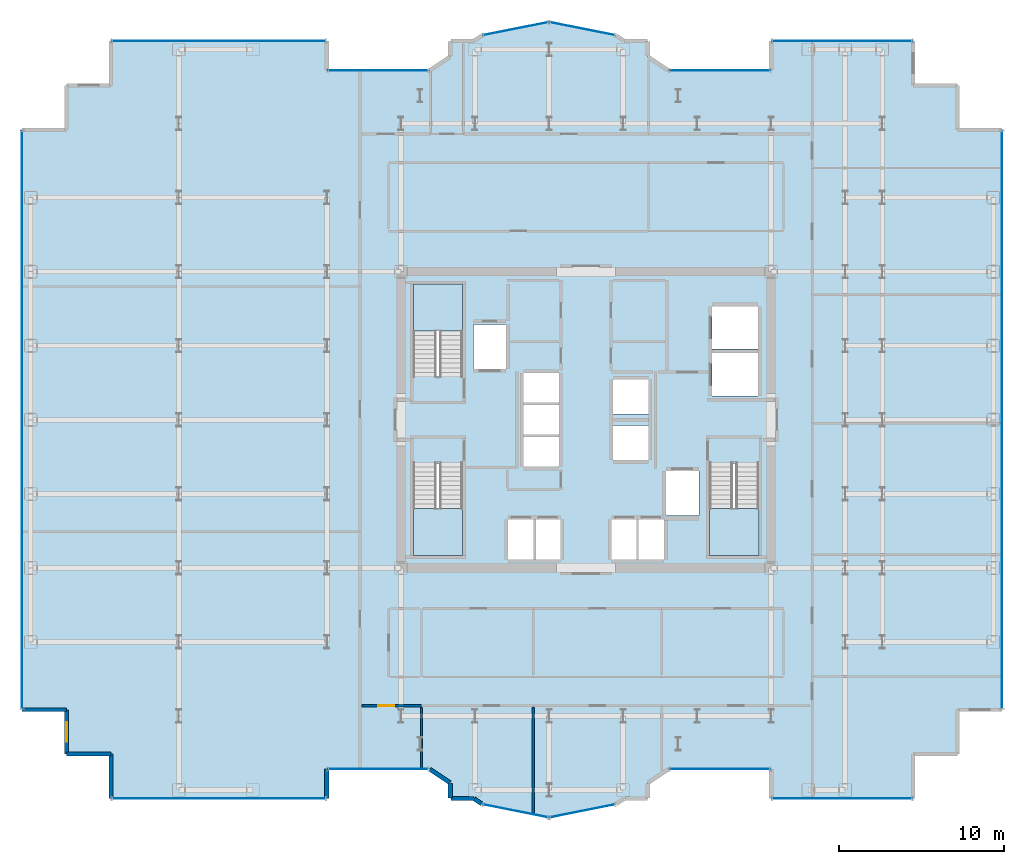
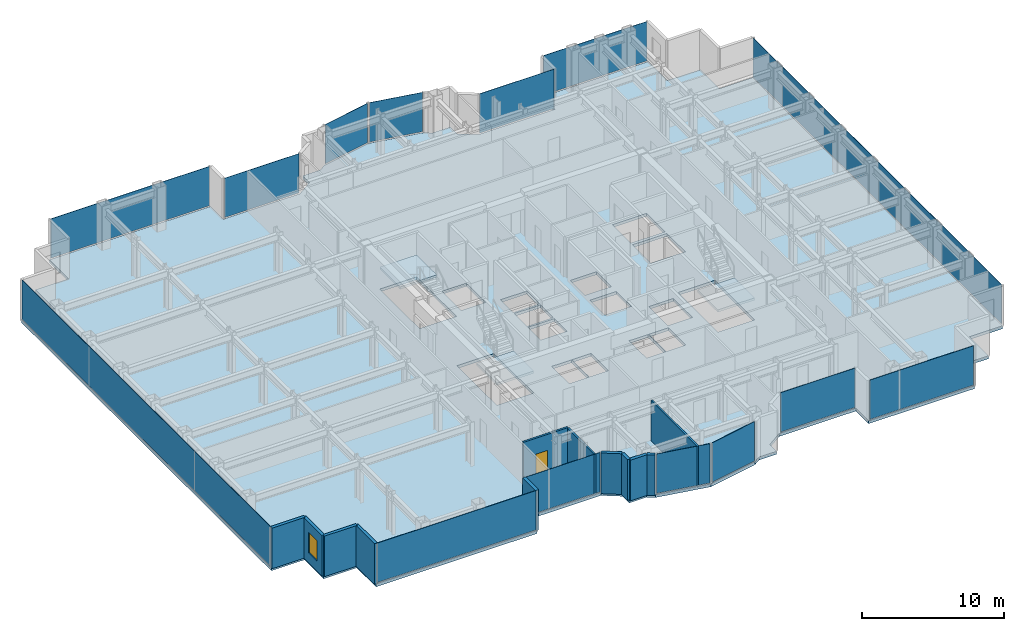
# One storey, part 16 of 23: 14 plates, 12 walls, 4 slabs, 1 door, 1 window, 2 openings, 17 elements without a shape of their own.
"""IFC4 building model written with IfcOpenShell, lengths in metres."""

import ifcopenshell
import ifcopenshell.guid

model = None  # the IFC model being written
_history = None  # IfcOwnerHistory: only IFC2X3 demands one
_inside = {}  # id of a spatial element -> (the spatial element, [elements in it])
_under = {}  # id of a project, library or spatial element -> (it, [spatial elements below it])
_declared = {}  # id of a project -> (the project, [libraries it declares])
_typed = {}  # id of a type object -> (the type object, [elements of that type])
_made_of = {}  # id of a material, layer set ... -> (it, [elements and type objects made of it])


def new_model(schema):
    """Start an empty IFC model of exactly this schema.

    Asked for "IFC4X3", IfcOpenShell would pick the latest addendum, in which some entities
    have other attributes; the version numbers below select the first issue.
    IFC2X3 requires an IfcOwnerHistory on every rooted entity: one is made here for all.
    """
    global model, _history
    if schema == "IFC4X3":
        model = ifcopenshell.file(schema_version=(4, 3, 0, 0))
    else:
        model = ifcopenshell.file(schema=schema)
    _inside.clear()
    _under.clear()
    _declared.clear()
    _typed.clear()
    _made_of.clear()
    _history = None
    if model.schema == "IFC2X3":
        org = make("IfcOrganization", Name="unknown")
        user = make(
            "IfcPersonAndOrganization",
            ThePerson=make("IfcPerson", FamilyName="unknown"),
            TheOrganization=org,
        )
        app = make(
            "IfcApplication",
            ApplicationDeveloper=org,
            Version="unknown",
            ApplicationFullName="unknown",
            ApplicationIdentifier="unknown",
        )
        _history = make(
            "IfcOwnerHistory",
            OwningUser=user,
            OwningApplication=app,
            ChangeAction="ADDED",
            CreationDate=0,
        )
    return model


def make(cls, **values):
    """One entity of the class cls with the attributes given. An attribute that is None is left unset."""
    return model.create_entity(
        cls, **{name: value for name, value in values.items() if value is not None}
    )


def rooted(cls, **values):
    """An entity with a GlobalId (a new one), such as an element, a storey or a relation."""
    return make(cls, GlobalId=ifcopenshell.guid.new(), OwnerHistory=_history, **values)


def si_unit(unit_type, name, prefix=None):
    """IfcSIUnit, for example si_unit("LENGTHUNIT", "METRE", prefix="MILLI")."""
    return make("IfcSIUnit", UnitType=unit_type, Prefix=prefix, Name=name)


def assignment(units):
    """IfcUnitAssignment: the units of a project."""
    return None if units is None else make("IfcUnitAssignment", Units=units)


def point(xyz):
    """IfcCartesianPoint."""
    return None if xyz is None else make("IfcCartesianPoint", Coordinates=xyz)


def direction(xyz):
    """IfcDirection."""
    return None if xyz is None else make("IfcDirection", DirectionRatios=xyz)


def frame(location, z_axis=None, x_axis=None):
    """IfcAxis2Placement3D, a coordinate frame: its origin and axes. An axis left out is left unset."""
    return make(
        "IfcAxis2Placement3D",
        Location=point(location),
        Axis=direction(z_axis),
        RefDirection=direction(x_axis),
    )


def frame_2d(location, x_axis=None):
    """IfcAxis2Placement2D, a coordinate frame in the plane: its origin and x axis."""
    return make(
        "IfcAxis2Placement2D", Location=point(location), RefDirection=direction(x_axis)
    )


def origin():
    """The frame at (0, 0, 0) with its axes left unset."""
    return frame((0.0, 0.0, 0.0))


def origin_2d():
    """The frame at (0, 0) in the plane with its x axis left unset."""
    return frame_2d((0.0, 0.0))


def place(relative_to, where):
    """IfcLocalPlacement: puts the frame where relative to a parent placement (None: the world)."""
    return make(
        "IfcLocalPlacement", PlacementRelTo=relative_to, RelativePlacement=where
    )


def context(
    kind, dimensions, precision=None, world=None, true_north=None, identifier=None
):
    """IfcGeometricRepresentationContext, for example the 3D "Model" context."""
    return make(
        "IfcGeometricRepresentationContext",
        ContextIdentifier=identifier,
        ContextType=kind,
        CoordinateSpaceDimension=dimensions,
        Precision=precision,
        WorldCoordinateSystem=world,
        TrueNorth=true_north,
    )


def subcontext(parent, identifier, kind, view, scale=None):
    """IfcGeometricRepresentationSubContext, for example "Body" below "Model"."""
    return make(
        "IfcGeometricRepresentationSubContext",
        ContextIdentifier=identifier,
        ContextType=kind,
        ParentContext=parent,
        TargetScale=scale,
        TargetView=view,
    )


def project(units=None, contexts=None):
    """IfcProject with its units and contexts."""
    return rooted(
        "IfcProject",
        Name="project",
        RepresentationContexts=contexts,
        UnitsInContext=assignment(units),
    )


def spatial(cls, under=None, at=None, **own):
    """A site, building, storey or space (cls), placed at a placement, below another one or the project."""
    s = rooted(cls, ObjectPlacement=at, **own)
    if under is not None:
        _under.setdefault(under.id(), (under, []))[1].append(s)
    return s


def polyline(points):
    """IfcPolyline through the points."""
    return make("IfcPolyline", Points=[point(p) for p in points])


def profile(cls, at=None, kind="AREA", **sizes):
    """A parametric profile (cls). Its sizes go by their IFC names, for example OverallWidth=200.0."""
    return make(cls, ProfileType=kind, Position=at, **sizes)


def rectangle(**sizes):
    """IfcRectangleProfileDef."""
    return profile("IfcRectangleProfileDef", **sizes)


def outline(outer, holes=None, kind="AREA"):
    """IfcArbitraryClosedProfileDef: a profile drawn as a closed curve; with holes, ...WithVoids."""
    if holes is None:
        return make("IfcArbitraryClosedProfileDef", ProfileType=kind, OuterCurve=outer)
    return make(
        "IfcArbitraryProfileDefWithVoids",
        ProfileType=kind,
        OuterCurve=outer,
        InnerCurves=holes,
    )


def extrude(swept, where, along, depth):
    """IfcExtrudedAreaSolid: the profile swept, set in the frame where, extruded along a direction by depth."""
    return make(
        "IfcExtrudedAreaSolid",
        SweptArea=swept,
        Position=where,
        ExtrudedDirection=direction(along),
        Depth=depth,
    )


def shape(context_of_items, identifier, shape_type, items):
    """IfcShapeRepresentation: the items that make up one representation, for example the "Body"."""
    return make(
        "IfcShapeRepresentation",
        ContextOfItems=context_of_items,
        RepresentationIdentifier=identifier,
        RepresentationType=shape_type,
        Items=items,
    )


def source(mapping_origin, context_of_items, identifier, shape_type, items):
    """IfcRepresentationMap: a shape defined once, which mapped items show again and again."""
    return make(
        "IfcRepresentationMap",
        MappingOrigin=mapping_origin,
        MappedRepresentation=shape(context_of_items, identifier, shape_type, items),
    )


def transform(
    local_origin,
    x_axis=None,
    y_axis=None,
    z_axis=None,
    scale=None,
    scale2=None,
    scale3=None,
    uniform=True,
):
    """IfcCartesianTransformationOperator3D, or its non-uniform kind. x_axis, y_axis, z_axis: its Axis1, 2, 3."""
    if uniform:
        return make(
            "IfcCartesianTransformationOperator3D",
            Axis1=direction(x_axis),
            Axis2=direction(y_axis),
            LocalOrigin=point(local_origin),
            Scale=scale,
            Axis3=direction(z_axis),
        )
    return make(
        "IfcCartesianTransformationOperator3DnonUniform",
        Axis1=direction(x_axis),
        Axis2=direction(y_axis),
        LocalOrigin=point(local_origin),
        Scale=scale,
        Axis3=direction(z_axis),
        Scale2=scale2,
        Scale3=scale3,
    )


def mapped(mapping_source, mapping_target):
    """IfcMappedItem: shows the shape of a source again, moved by a transform."""
    return make(
        "IfcMappedItem", MappingSource=mapping_source, MappingTarget=mapping_target
    )


def material(Name=None, Category=None):
    """IfcMaterial."""
    return make("IfcMaterial", Name=Name, Category=Category)


def layer(
    of_material, thickness, ventilated=None, Name=None, Category=None, Priority=None
):
    """IfcMaterialLayer: one layer of a wall or slab, of a material (None: an air gap)."""
    return make(
        "IfcMaterialLayer",
        Material=of_material,
        LayerThickness=thickness,
        IsVentilated=ventilated,
        Name=Name,
        Category=Category,
        Priority=Priority,
    )


def layer_set(layers, Name=None):
    """IfcMaterialLayerSet."""
    return make("IfcMaterialLayerSet", MaterialLayers=layers, LayerSetName=Name)


def made_of(thing, what):
    """Note that an element or type object is made of a material, layer set ...; save() writes the relation."""
    if what is not None:
        _made_of.setdefault(what.id(), (what, []))[1].append(thing)
    return thing


def type_object(cls, material=None, **own):
    """A type object (cls), such as IfcWallType, which elements share."""
    return made_of(rooted(cls, **own), material)


def element(
    cls,
    number,
    at=None,
    inside=None,
    cuts=None,
    type_object=None,
    material=None,
    context=None,
    identifier="Body",
    shape_type=None,
    held_by="IfcProductDefinitionShape",
    body=None,
    shapes=None,
    **own,
):
    """One element of the class cls, such as IfcWall. Its Tag is "e" and its number.

    at: its placement. inside: the storey or other place that contains it. cuts: it is an
    opening in that element (IfcRelVoidsElement). A single representation is given by context,
    identifier, shape_type and body (its items); several are given by shapes. held_by: the class
    of the entity that holds the representations. save() writes the other relations.
    """
    e = rooted(cls, Tag="e%d" % number, ObjectPlacement=at, **own)
    if body is not None:
        shapes = [shape(context, identifier, shape_type, body)]
    if shapes is not None:
        e.Representation = make(held_by, Representations=shapes)
    if inside is not None:
        _inside.setdefault(inside.id(), (inside, []))[1].append(e)
    if cuts is not None:
        rooted(
            "IfcRelVoidsElement", RelatingBuildingElement=cuts, RelatedOpeningElement=e
        )
    if type_object is not None:
        _typed.setdefault(type_object.id(), (type_object, []))[1].append(e)
    return made_of(e, material)


def fill(opening, filler):
    """IfcRelFillsElement: the door or window that sits in an opening."""
    return rooted(
        "IfcRelFillsElement",
        RelatingOpeningElement=opening,
        RelatedBuildingElement=filler,
    )


def aggregate(whole, parts):
    """IfcRelAggregates: a whole, such as a stair, and the parts it consists of."""
    return rooted("IfcRelAggregates", RelatingObject=whole, RelatedObjects=parts)


def save(model, path):
    """Write the relations noted so far, then the file.

    IfcRelAggregates (storeys below a building ...), IfcRelContainedInSpatialStructure (elements
    in a storey), IfcRelDefinesByType, IfcRelAssociatesMaterial and IfcRelDeclares: one each for
    every whole, place, type object, material and project.
    """
    for whole, parts in _under.values():
        aggregate(whole, parts)
    for where, things in _inside.values():
        rooted(
            "IfcRelContainedInSpatialStructure",
            RelatedElements=things,
            RelatingStructure=where,
        )
    for kind, things in _typed.values():
        rooted("IfcRelDefinesByType", RelatedObjects=things, RelatingType=kind)
    for what, things in _made_of.values():
        rooted("IfcRelAssociatesMaterial", RelatedObjects=things, RelatingMaterial=what)
    for by, libraries in _declared.values():
        rooted("IfcRelDeclares", RelatingContext=by, RelatedDefinitions=libraries)
    model.write(path)


model = new_model("IFC4")

# Units and contexts
model_context = context("Model", 3, precision=1e-05, world=origin(), true_north=direction((0.0, 1.0)))
body_context = subcontext(model_context, "Body", "Model", "MODEL_VIEW")
ifc_project = project(units=[si_unit("LENGTHUNIT", "METRE"), si_unit("AREAUNIT", "SQUARE_METRE"), si_unit("VOLUMEUNIT", "CUBIC_METRE"), si_unit("PLANEANGLEUNIT", "RADIAN"), si_unit("MASSUNIT", "GRAM", prefix="KILO")], contexts=[model_context])

# Site, building, storey
site_placement = place(None, origin())
site = spatial("IfcSite", under=ifc_project, at=site_placement, CompositionType="ELEMENT")
building_placement = place(site_placement, origin())
building = spatial("IfcBuilding", under=site, at=building_placement, Name="Nefas-Gora Pilgrimage Tower", CompositionType="ELEMENT")
storey_placement = place(building_placement, frame((0.0, 0.0, 198.199951171875)))
storey = spatial("IfcBuildingStorey", under=building, at=storey_placement, Name="L49", CompositionType="ELEMENT", Elevation=198.199951171875)

# Slab
ifc_material_1 = material(Name="Concrete C40/50", Category="concrete")
ifc_layer_1 = layer(ifc_material_1, 0.25)
ifc_layer_set_1 = layer_set([ifc_layer_1], Name="Concrete C40/50")
slab_type_1 = type_object("IfcSlabType", Name="SLB-TWR-250", PredefinedType="FLOOR", material=ifc_layer_set_1)
slab_1_placement = place(storey_placement, frame((0.0, 0.0, -0.25)))
element("IfcSlab", 1, at=slab_1_placement, inside=storey, type_object=slab_type_1, Name="L49 Structural Floor Slab", PredefinedType="FLOOR", context=body_context, shape_type="SweptSolid", body=[
    extrude(outline(polyline([(5.01806640625, -21.219970703125), (11.25, -21.219970703125), (11.25, -23.02001953125), (19.8701171875, -23.02001953125), (19.8701171875, -20.320068359375), (22.570068359375, -20.320068359375), (22.570068359375, -17.6201171875), (25.27001953125, -17.6201171875), (25.27001953125, 17.6201171875), (22.570068359375, 17.6201171875), (22.570068359375, 20.320068359375), (19.8701171875, 20.320068359375), (19.8701171875, 23.02001953125), (11.25, 23.02001953125), (11.25, 21.219970703125), (5.01806640625, 21.219970703125), (3.75, 22.0673828125), (3.75, 23.02001953125), (2.32421875, 23.02001953125), (1.807373046875, 23.365234375), (-2.25, 24.17236328125), (-6.307373046875, 23.365234375), (-6.82421875, 23.02001953125), (-8.25, 23.02001953125), (-8.25, 22.0673828125), (-9.51806640625, 21.219970703125), (-15.75, 21.219970703125), (-15.75, 23.02001953125), (-28.8701171875, 23.02001953125), (-28.8701171875, 20.320068359375), (-31.570068359375, 20.320068359375), (-31.570068359375, 17.6201171875), (-34.27001953125, 17.6201171875), (-34.27001953125, -17.6201171875), (-31.570068359375, -17.6201171875), (-31.570068359375, -20.320068359375), (-28.8701171875, -20.320068359375), (-28.8701171875, -23.02001953125), (-15.75, -23.02001953125), (-15.75, -21.219970703125), (-9.51806640625, -21.219970703125), (-8.25, -22.0673828125), (-8.25, -23.02001953125), (-6.82421875, -23.02001953125), (-6.307373046875, -23.365234375), (-2.25, -24.17236328125), (1.807373046875, -23.365234375), (2.32421875, -23.02001953125), (3.75, -23.02001953125), (3.75, -22.0673828125), (5.01806640625, -21.219970703125)]), holes=[polyline([(-10.5, 2.639892578125), (-10.5, 8.25), (-7.5, 8.25), (-7.5, 2.639892578125), (-10.5, 2.639892578125)]), polyline([(10.5, -2.639892578125), (10.5, -8.25), (7.5, -8.25), (7.5, -2.639892578125), (10.5, -2.639892578125)]), polyline([(-7.5, -2.639892578125), (-7.5, -8.25), (-10.5, -8.25), (-10.5, -2.639892578125), (-7.5, -2.639892578125)]), polyline([(-6.85009765625, 5.800048828125), (-4.85009765625, 5.800048828125), (-4.85009765625, 3.10009765625), (-6.85009765625, 3.10009765625), (-6.85009765625, 5.800048828125)]), polyline([(4.85009765625, -3.10009765625), (6.85009765625, -3.10009765625), (6.85009765625, -5.800048828125), (4.85009765625, -5.800048828125), (4.85009765625, -3.10009765625)]), polyline([(7.64990234375, 4.050048828125), (10.449951171875, 4.050048828125), (10.449951171875, 1.449951171875), (7.64990234375, 1.449951171875), (7.64990234375, 4.050048828125)]), polyline([(7.64990234375, 6.89990234375), (10.449951171875, 6.89990234375), (10.449951171875, 4.300048828125), (7.64990234375, 4.300048828125), (7.64990234375, 6.89990234375)]), polyline([(-4.75, -6.050048828125), (-3.14990234375, -6.050048828125), (-3.14990234375, -8.5), (-4.75, -8.5), (-4.75, -6.050048828125)]), polyline([(-3.10009765625, -6.050048828125), (-1.550048828125, -6.050048828125), (-1.550048828125, -8.5), (-3.10009765625, -8.5), (-3.10009765625, -6.050048828125)]), polyline([(1.550048828125, -6.050048828125), (3.10009765625, -6.050048828125), (3.10009765625, -8.5), (1.550048828125, -8.5), (1.550048828125, -6.050048828125)]), polyline([(3.14990234375, -6.050048828125), (4.75, -6.050048828125), (4.75, -8.5), (3.14990234375, -8.5), (3.14990234375, -6.050048828125)]), polyline([(-3.800048828125, -1.050048828125), (-1.64990234375, -1.050048828125), (-1.64990234375, -2.85009765625), (-3.800048828125, -2.85009765625), (-3.800048828125, -1.050048828125)]), polyline([(-3.800048828125, 0.89990234375), (-1.64990234375, 0.89990234375), (-1.64990234375, -0.89990234375), (-3.800048828125, -0.89990234375), (-3.800048828125, 0.89990234375)]), polyline([(-3.800048828125, 2.85009765625), (-1.64990234375, 2.85009765625), (-1.64990234375, 1.050048828125), (-3.800048828125, 1.050048828125), (-3.800048828125, 2.85009765625)]), polyline([(1.64990234375, -0.35009765625), (3.800048828125, -0.35009765625), (3.800048828125, -2.449951171875), (1.64990234375, -2.449951171875), (1.64990234375, -0.35009765625)]), polyline([(1.64990234375, 2.449951171875), (3.800048828125, 2.449951171875), (3.800048828125, 0.35009765625), (1.64990234375, 0.35009765625), (1.64990234375, 2.449951171875)])]), origin(), (0.0, 0.0, 1.0), 0.25),
])

# Stair, slab
ifc_material_2 = material(Name="Concrete C45/55", Category="concrete")
stair_type = type_object("IfcStairType", Name="STR-1400-R1727", PredefinedType="HALF_TURN_STAIR", material=ifc_material_2)
stair_1_placement = place(storey_placement, origin())
stair_1 = element("IfcStair", 2, at=stair_1_placement, inside=storey, type_object=stair_type, Name="L49 Pressurised Tower Exit Stair ST-01", PredefinedType="HALF_TURN_STAIR")
ifc_layer_2 = layer(ifc_material_1, 0.199951171875)
ifc_layer_set_2 = layer_set([ifc_layer_2], Name="Concrete C40/50")
slab_type_2 = type_object("IfcSlabType", Name="STR-LAND-200", PredefinedType="LANDING", material=ifc_layer_set_2)
slab_2_placement = place(storey_placement, frame((0.0, 0.0, 1.699951171875)))
slab_2 = element("IfcSlab", 3, at=slab_2_placement, type_object=slab_type_2, Name="ST-01 landing 1", PredefinedType="LANDING", context=body_context, shape_type="SweptSolid", body=[
    extrude(outline(polyline([(-7.5, 5.39990234375), (-7.5, 8.25), (-10.5, 8.25), (-10.5, 5.39990234375), (-7.5, 5.39990234375)])), origin(), (0.0, 0.0, 1.0), 0.2001953125),
])
aggregate(stair_1, [slab_2])

stair_2_placement = place(storey_placement, origin())
stair_2 = element("IfcStair", 4, at=stair_2_placement, inside=storey, type_object=stair_type, Name="L49 Pressurised Tower Exit Stair ST-02", PredefinedType="HALF_TURN_STAIR")
slab_3_placement = place(storey_placement, frame((0.0, 0.0, 1.699951171875)))
slab_3 = element("IfcSlab", 5, at=slab_3_placement, type_object=slab_type_2, Name="ST-02 landing 1", PredefinedType="LANDING", context=body_context, shape_type="SweptSolid", body=[
    extrude(outline(polyline([(7.5, -5.39990234375), (7.5, -8.25), (10.5, -8.25), (10.5, -5.39990234375), (7.5, -5.39990234375)])), origin(), (0.0, 0.0, 1.0), 0.2001953125),
])
aggregate(stair_2, [slab_3])

stair_3_placement = place(storey_placement, origin())
stair_3 = element("IfcStair", 6, at=stair_3_placement, inside=storey, type_object=stair_type, Name="L49 Pressurised Tower Exit Stair ST-03", PredefinedType="HALF_TURN_STAIR")
slab_4_placement = place(storey_placement, frame((0.0, 0.0, 1.699951171875)))
slab_4 = element("IfcSlab", 7, at=slab_4_placement, type_object=slab_type_2, Name="ST-03 landing 1", PredefinedType="LANDING", context=body_context, shape_type="SweptSolid", body=[
    extrude(outline(polyline([(-10.5, -5.39990234375), (-10.5, -8.25), (-7.5, -8.25), (-7.5, -5.39990234375), (-10.5, -5.39990234375)])), origin(), (0.0, 0.0, 1.0), 0.2001953125),
])
aggregate(stair_3, [slab_4])

# Curtain wall, plate
ifc_material_3 = material(Name="Dark ceramic-fritted solar-control aluminium-glass curtain wall", Category="aluminium")
ifc_layer_3 = layer(ifc_material_3, 0.219970703125)
ifc_layer_set_3 = layer_set([ifc_layer_3], Name="Dark ceramic-fritted solar-control aluminium-glass curtain wall")
curtain_wall_type_1 = type_object("IfcCurtainWallType", Name="CW-SYS-5", PredefinedType="NOTDEFINED", material=ifc_layer_set_3)
curtain_wall_1_placement = place(storey_placement, origin())
curtain_wall_1 = element("IfcCurtainWall", 8, at=curtain_wall_1_placement, inside=storey, type_object=curtain_wall_type_1, Name="L49 Unitised Curtain Wall CW5", PredefinedType="NOTDEFINED")
ifc_material_4 = material(Name="Dark ceramic-printed low-e insulated glass", Category="glass")
ifc_layer_4 = layer(ifc_material_4, 0.028076171875)
ifc_layer_set_4 = layer_set([ifc_layer_4], Name="Dark ceramic-printed low-e insulated glass")
plate_type_1 = type_object("IfcPlateType", Name="CWP-PNL-5", PredefinedType="CURTAIN_PANEL", material=ifc_layer_set_4)
shared_shape_1 = source(origin(), body_context, "Body", "SweptSolid", [
    extrude(rectangle(XDim=6.052001953125, YDim=0.028076171875, at=origin_2d()), origin(), (0.0, 0.0, 1.0), 3.389892578125),
])
plate_1_placement = place(storey_placement, frame((8.134033203125, -21.219970703125, 0.10009765625), z_axis=(0.0, 0.0, 1.0), x_axis=(1.0, 0.0, 0.0)))
plate_1 = element("IfcPlate", 9, at=plate_1_placement, type_object=plate_type_1, Name="CW5 Ceramic-Fritted Glazing Panel 1", PredefinedType="CURTAIN_PANEL", context=body_context, shape_type="MappedRepresentation", body=[
    mapped(shared_shape_1, transform((0.0, 0.0, 0.0), x_axis=(1.0, 0.0, 0.0), y_axis=(0.0, 1.0, 0.0), z_axis=(0.0, 0.0, 1.0), scale=1.0)),
])
aggregate(curtain_wall_1, [plate_1])

curtain_wall_2_placement = place(storey_placement, origin())
curtain_wall_2 = element("IfcCurtainWall", 10, at=curtain_wall_2_placement, inside=storey, type_object=curtain_wall_type_1, Name="L49 Unitised Curtain Wall CW5", PredefinedType="NOTDEFINED")
plate_2_placement = place(storey_placement, frame((8.134033203125, 21.219970703125, 0.10009765625), z_axis=(0.0, 0.0, 1.0), x_axis=(-1.0, 0.0, 0.0)))
plate_2 = element("IfcPlate", 11, at=plate_2_placement, type_object=plate_type_1, Name="CW5 Ceramic-Fritted Glazing Panel 1", PredefinedType="CURTAIN_PANEL", context=body_context, shape_type="MappedRepresentation", body=[
    mapped(shared_shape_1, transform((0.0, 0.0, 0.0), x_axis=(1.0, 0.0, 0.0), y_axis=(0.0, 1.0, 0.0), z_axis=(0.0, 0.0, 1.0), scale=1.0)),
])
aggregate(curtain_wall_2, [plate_2])

curtain_wall_3_placement = place(storey_placement, origin())
curtain_wall_3 = element("IfcCurtainWall", 12, at=curtain_wall_3_placement, inside=storey, type_object=curtain_wall_type_1, Name="L49 Unitised Curtain Wall CW5", PredefinedType="NOTDEFINED")
plate_3_placement = place(storey_placement, frame((-12.634033203125, 21.219970703125, 0.10009765625), z_axis=(0.0, 0.0, 1.0), x_axis=(-1.0, 0.0, 0.0)))
plate_3 = element("IfcPlate", 13, at=plate_3_placement, type_object=plate_type_1, Name="CW5 Ceramic-Fritted Glazing Panel 1", PredefinedType="CURTAIN_PANEL", context=body_context, shape_type="MappedRepresentation", body=[
    mapped(shared_shape_1, transform((0.0, 0.0, 0.0), x_axis=(1.0, 0.0, 0.0), y_axis=(0.0, 1.0, 0.0), z_axis=(0.0, 0.0, 1.0), scale=1.0)),
])
aggregate(curtain_wall_3, [plate_3])

curtain_wall_4_placement = place(storey_placement, origin())
curtain_wall_4 = element("IfcCurtainWall", 14, at=curtain_wall_4_placement, inside=storey, type_object=curtain_wall_type_1, Name="L49 Unitised Curtain Wall CW5", PredefinedType="NOTDEFINED")
plate_4_placement = place(storey_placement, frame((-12.634033203125, -21.219970703125, 0.10009765625), z_axis=(0.0, 0.0, 1.0), x_axis=(1.0, 0.0, 0.0)))
plate_4 = element("IfcPlate", 15, at=plate_4_placement, type_object=plate_type_1, Name="CW5 Ceramic-Fritted Glazing Panel 1", PredefinedType="CURTAIN_PANEL", context=body_context, shape_type="MappedRepresentation", body=[
    mapped(shared_shape_1, transform((0.0, 0.0, 0.0), x_axis=(1.0, 0.0, 0.0), y_axis=(0.0, 1.0, 0.0), z_axis=(0.0, 0.0, 1.0), scale=1.0)),
])
aggregate(curtain_wall_4, [plate_4])

curtain_wall_5_placement = place(storey_placement, origin())
curtain_wall_5 = element("IfcCurtainWall", 16, at=curtain_wall_5_placement, inside=storey, type_object=curtain_wall_type_1, Name="L49 Unitised Curtain Wall CW5", PredefinedType="NOTDEFINED")
shared_shape_2 = source(origin(), body_context, "Body", "SweptSolid", [
    extrude(rectangle(XDim=3.956787109375, YDim=0.028076171875, at=origin_2d()), origin(), (0.0, 0.0, 1.0), 3.389892578125),
])
plate_5_placement = place(storey_placement, frame((-0.22119140625, 23.768798828125, 0.10009765625), z_axis=(0.0, 0.0, 1.0), x_axis=(-0.980782896852, 0.195102304554, 0.0)))
plate_5 = element("IfcPlate", 17, at=plate_5_placement, type_object=plate_type_1, Name="CW5 Ceramic-Fritted Glazing Panel 1", PredefinedType="CURTAIN_PANEL", context=body_context, shape_type="MappedRepresentation", body=[
    mapped(shared_shape_2, transform((0.0, 0.0, 0.0), x_axis=(1.0, 0.0, 0.0), y_axis=(0.0, 1.0, 0.0), z_axis=(0.0, 0.0, 1.0), scale=1.0)),
])
aggregate(curtain_wall_5, [plate_5])

curtain_wall_6_placement = place(storey_placement, origin())
curtain_wall_6 = element("IfcCurtainWall", 18, at=curtain_wall_6_placement, inside=storey, type_object=curtain_wall_type_1, Name="L49 Unitised Curtain Wall CW5", PredefinedType="NOTDEFINED")
plate_6_placement = place(storey_placement, frame((-4.278564453125, 23.768798828125, 0.10009765625), z_axis=(0.0, 0.0, 1.0), x_axis=(-0.980782896852, -0.195102304554, 0.0)))
plate_6 = element("IfcPlate", 19, at=plate_6_placement, type_object=plate_type_1, Name="CW5 Ceramic-Fritted Glazing Panel 1", PredefinedType="CURTAIN_PANEL", context=body_context, shape_type="MappedRepresentation", body=[
    mapped(shared_shape_2, transform((0.0, 0.0, 0.0), x_axis=(1.0, 0.0, 0.0), y_axis=(0.0, 1.0, 0.0), z_axis=(0.0, 0.0, 1.0), scale=1.0)),
])
aggregate(curtain_wall_6, [plate_6])

curtain_wall_7_placement = place(storey_placement, origin())
curtain_wall_7 = element("IfcCurtainWall", 20, at=curtain_wall_7_placement, inside=storey, type_object=curtain_wall_type_1, Name="L49 Unitised Curtain Wall CW5", PredefinedType="NOTDEFINED")
plate_7_placement = place(storey_placement, frame((-4.278564453125, -23.768798828125, 0.10009765625), z_axis=(0.0, 0.0, 1.0), x_axis=(0.980782896852, -0.195102304554, 0.0)))
plate_7 = element("IfcPlate", 21, at=plate_7_placement, type_object=plate_type_1, Name="CW5 Ceramic-Fritted Glazing Panel 1", PredefinedType="CURTAIN_PANEL", context=body_context, shape_type="MappedRepresentation", body=[
    mapped(shared_shape_2, transform((0.0, 0.0, 0.0), x_axis=(1.0, 0.0, 0.0), y_axis=(0.0, 1.0, 0.0), z_axis=(0.0, 0.0, 1.0), scale=1.0)),
])
aggregate(curtain_wall_7, [plate_7])

curtain_wall_8_placement = place(storey_placement, origin())
curtain_wall_8 = element("IfcCurtainWall", 22, at=curtain_wall_8_placement, inside=storey, type_object=curtain_wall_type_1, Name="L49 Unitised Curtain Wall CW5", PredefinedType="NOTDEFINED")
plate_8_placement = place(storey_placement, frame((-0.221435546875, -23.768798828125, 0.10009765625), z_axis=(0.0, 0.0, 1.0), x_axis=(0.980782896852, 0.195102304554, 0.0)))
plate_8 = element("IfcPlate", 23, at=plate_8_placement, type_object=plate_type_1, Name="CW5 Ceramic-Fritted Glazing Panel 1", PredefinedType="CURTAIN_PANEL", context=body_context, shape_type="MappedRepresentation", body=[
    mapped(shared_shape_2, transform((0.0, 0.0, 0.0), x_axis=(1.0, 0.0, 0.0), y_axis=(0.0, 1.0, 0.0), z_axis=(0.0, 0.0, 1.0), scale=1.0)),
])
aggregate(curtain_wall_8, [plate_8])

ifc_layer_5 = layer(ifc_material_3, 0.219970703125)
ifc_layer_set_5 = layer_set([ifc_layer_5], Name="Dark ceramic-fritted solar-control aluminium-glass curtain wall")
curtain_wall_type_2 = type_object("IfcCurtainWallType", Name="CW-SYS-3", PredefinedType="NOTDEFINED", material=ifc_layer_set_5)
curtain_wall_9_placement = place(storey_placement, origin())
curtain_wall_9 = element("IfcCurtainWall", 24, at=curtain_wall_9_placement, inside=storey, type_object=curtain_wall_type_2, Name="L49 Unitised Curtain Wall CW3", PredefinedType="NOTDEFINED")
ifc_layer_6 = layer(ifc_material_4, 0.033935546875)
ifc_layer_set_6 = layer_set([ifc_layer_6], Name="Dark ceramic-printed low-e insulated glass")
plate_type_2 = type_object("IfcPlateType", Name="CWP-PNL-3", PredefinedType="CURTAIN_PANEL", material=ifc_layer_set_6)
shared_shape_3 = source(origin(), body_context, "Body", "SweptSolid", [
    extrude(rectangle(XDim=8.43994140625, YDim=0.033935546875, at=origin_2d()), origin(), (0.0, 0.0, 1.0), 3.389892578125),
])
plate_9_placement = place(storey_placement, frame((15.56005859375, -23.02001953125, 0.10009765625), z_axis=(0.0, 0.0, 1.0), x_axis=(1.0, 0.0, 0.0)))
plate_9 = element("IfcPlate", 25, at=plate_9_placement, type_object=plate_type_2, Name="CW3 Ceramic-Fritted Glazing Panel 1", PredefinedType="CURTAIN_PANEL", context=body_context, shape_type="MappedRepresentation", body=[
    mapped(shared_shape_3, transform((0.0, 0.0, 0.0), x_axis=(1.0, 0.0, 0.0), y_axis=(0.0, 1.0, 0.0), z_axis=(0.0, 0.0, 1.0), scale=1.0)),
])
aggregate(curtain_wall_9, [plate_9])

curtain_wall_10_placement = place(storey_placement, origin())
curtain_wall_10 = element("IfcCurtainWall", 26, at=curtain_wall_10_placement, inside=storey, type_object=curtain_wall_type_2, Name="L49 Unitised Curtain Wall CW3", PredefinedType="NOTDEFINED")
plate_10_placement = place(storey_placement, frame((15.56005859375, 23.02001953125, 0.10009765625), z_axis=(0.0, 0.0, 1.0), x_axis=(-1.0, 0.0, 0.0)))
plate_10 = element("IfcPlate", 27, at=plate_10_placement, type_object=plate_type_2, Name="CW3 Ceramic-Fritted Glazing Panel 1", PredefinedType="CURTAIN_PANEL", context=body_context, shape_type="MappedRepresentation", body=[
    mapped(shared_shape_3, transform((0.0, 0.0, 0.0), x_axis=(1.0, 0.0, 0.0), y_axis=(0.0, 1.0, 0.0), z_axis=(0.0, 0.0, 1.0), scale=1.0)),
])
aggregate(curtain_wall_10, [plate_10])

curtain_wall_11_placement = place(storey_placement, origin())
curtain_wall_11 = element("IfcCurtainWall", 28, at=curtain_wall_11_placement, inside=storey, type_object=curtain_wall_type_2, Name="L49 Unitised Curtain Wall CW3", PredefinedType="NOTDEFINED")
shared_shape_4 = source(origin(), body_context, "Body", "SweptSolid", [
    extrude(rectangle(XDim=35.06005859375, YDim=0.033935546875, at=origin_2d()), origin(), (0.0, 0.0, 1.0), 3.389892578125),
])
plate_11_placement = place(storey_placement, frame((25.27001953125, 0.0, 0.10009765625), z_axis=(0.0, 0.0, 1.0), x_axis=(0.0, 1.0, 0.0)))
plate_11 = element("IfcPlate", 29, at=plate_11_placement, type_object=plate_type_2, Name="CW3 Ceramic-Fritted Glazing Panel 1", PredefinedType="CURTAIN_PANEL", context=body_context, shape_type="MappedRepresentation", body=[
    mapped(shared_shape_4, transform((0.0, 0.0, 0.0), x_axis=(1.0, 0.0, 0.0), y_axis=(0.0, 1.0, 0.0), z_axis=(0.0, 0.0, 1.0), scale=1.0)),
])
aggregate(curtain_wall_11, [plate_11])

curtain_wall_12_placement = place(storey_placement, origin())
curtain_wall_12 = element("IfcCurtainWall", 30, at=curtain_wall_12_placement, inside=storey, type_object=curtain_wall_type_2, Name="L49 Unitised Curtain Wall CW3", PredefinedType="NOTDEFINED")
plate_12_placement = place(storey_placement, frame((-34.27001953125, 0.0, 0.10009765625), z_axis=(0.0, 0.0, 1.0), x_axis=(0.0, -1.0, 0.0)))
plate_12 = element("IfcPlate", 31, at=plate_12_placement, type_object=plate_type_2, Name="CW3 Ceramic-Fritted Glazing Panel 1", PredefinedType="CURTAIN_PANEL", context=body_context, shape_type="MappedRepresentation", body=[
    mapped(shared_shape_4, transform((0.0, 0.0, 0.0), x_axis=(1.0, 0.0, 0.0), y_axis=(0.0, 1.0, 0.0), z_axis=(0.0, 0.0, 1.0), scale=1.0)),
])
aggregate(curtain_wall_12, [plate_12])

curtain_wall_13_placement = place(storey_placement, origin())
curtain_wall_13 = element("IfcCurtainWall", 32, at=curtain_wall_13_placement, inside=storey, type_object=curtain_wall_type_2, Name="L49 Unitised Curtain Wall CW3", PredefinedType="NOTDEFINED")
shared_shape_5 = source(origin(), body_context, "Body", "SweptSolid", [
    extrude(rectangle(XDim=12.93994140625, YDim=0.033935546875, at=origin_2d()), origin(), (0.0, 0.0, 1.0), 3.389892578125),
])
plate_13_placement = place(storey_placement, frame((-22.31005859375, 23.02001953125, 0.10009765625), z_axis=(0.0, 0.0, 1.0), x_axis=(-1.0, 0.0, 0.0)))
plate_13 = element("IfcPlate", 33, at=plate_13_placement, type_object=plate_type_2, Name="CW3 Ceramic-Fritted Glazing Panel 1", PredefinedType="CURTAIN_PANEL", context=body_context, shape_type="MappedRepresentation", body=[
    mapped(shared_shape_5, transform((0.0, 0.0, 0.0), x_axis=(1.0, 0.0, 0.0), y_axis=(0.0, 1.0, 0.0), z_axis=(0.0, 0.0, 1.0), scale=1.0)),
])
aggregate(curtain_wall_13, [plate_13])

curtain_wall_14_placement = place(storey_placement, origin())
curtain_wall_14 = element("IfcCurtainWall", 34, at=curtain_wall_14_placement, inside=storey, type_object=curtain_wall_type_2, Name="L49 Unitised Curtain Wall CW3", PredefinedType="NOTDEFINED")
plate_14_placement = place(storey_placement, frame((-22.31005859375, -23.02001953125, 0.10009765625), z_axis=(0.0, 0.0, 1.0), x_axis=(1.0, 0.0, 0.0)))
plate_14 = element("IfcPlate", 35, at=plate_14_placement, type_object=plate_type_2, Name="CW3 Ceramic-Fritted Glazing Panel 1", PredefinedType="CURTAIN_PANEL", context=body_context, shape_type="MappedRepresentation", body=[
    mapped(shared_shape_5, transform((0.0, 0.0, 0.0), x_axis=(1.0, 0.0, 0.0), y_axis=(0.0, 1.0, 0.0), z_axis=(0.0, 0.0, 1.0), scale=1.0)),
])
aggregate(curtain_wall_14, [plate_14])

# Walls
ifc_material_5 = material(Name="Precast concrete C40/50", Category="concrete")
ifc_layer_7 = layer(ifc_material_5, 0.260009765625)
ifc_layer_set_7 = layer_set([ifc_layer_7], Name="Precast concrete C40/50")
wall_type_1 = type_object("IfcWallType", Name="EW-PORTAL-260", PredefinedType="SOLIDWALL", material=ifc_layer_set_7)
shared_shape_6 = source(origin(), body_context, "Body", "SweptSolid", [
    extrude(rectangle(XDim=1.800048828125, YDim=0.260009765625, at=frame_2d((0.89990234375, 0.0))), origin(), (0.0, 0.0, 1.0), 3.5),
])
wall_1_placement = place(storey_placement, frame((-15.75, -23.02001953125, 0.0), z_axis=(0.0, 0.0, 1.0), x_axis=(0.0, 1.0, 0.0)))
element("IfcWall", 36, at=wall_1_placement, inside=storey, type_object=wall_type_1, Name="L49 Lobe Shoulder Precast Spandrel Pier 28", PredefinedType="SOLIDWALL", context=body_context, shape_type="MappedRepresentation", body=[
    mapped(shared_shape_6, transform((0.0, 0.0, 0.0), x_axis=(1.0, 0.0, 0.0), y_axis=(0.0, 1.0, 0.0), z_axis=(0.0, 0.0, 1.0), scale=1.0)),
])
ifc_material_6 = material(Name="Precast concrete C45/55", Category="concrete")
ifc_layer_8 = layer(ifc_material_6, 0.239990234375)
ifc_layer_set_8 = layer_set([ifc_layer_8], Name="Precast concrete C45/55")
wall_type_2 = type_object("IfcWallType", Name="EW-SERR-240", PredefinedType="SHEAR", material=ifc_layer_set_8)
shared_shape_7 = source(origin(), body_context, "Body", "SweptSolid", [
    extrude(rectangle(XDim=2.699951171875, YDim=0.239990234375, at=frame_2d((1.35009765625, 0.0))), origin(), (0.0, 0.0, 1.0), 3.5),
])
wall_2_placement = place(storey_placement, frame((-34.27001953125, -17.6201171875, 0.0), z_axis=(0.0, 0.0, 1.0), x_axis=(1.0, 0.0, 0.0)))
element("IfcWall", 37, at=wall_2_placement, inside=storey, type_object=wall_type_2, Name="L49 Serrated Corner Shear Pier Wall 24", PredefinedType="SHEAR", context=body_context, shape_type="MappedRepresentation", body=[
    mapped(shared_shape_7, transform((0.0, 0.0, 0.0), x_axis=(1.0, 0.0, 0.0), y_axis=(0.0, 1.0, 0.0), z_axis=(0.0, 0.0, 1.0), scale=1.0)),
])

# Wall, opening, window
wall_3_placement = place(storey_placement, frame((-31.570068359375, -17.6201171875, 0.0), z_axis=(0.0, 0.0, 1.0), x_axis=(0.0, -1.0, 0.0)))
wall_3 = element("IfcWall", 38, at=wall_3_placement, inside=storey, type_object=wall_type_2, Name="L49 Serrated Corner Shear Pier Wall 25", PredefinedType="SHEAR", context=body_context, shape_type="MappedRepresentation", body=[
    mapped(shared_shape_7, transform((0.0, 0.0, 0.0), x_axis=(1.0, 0.0, 0.0), y_axis=(0.0, 1.0, 0.0), z_axis=(0.0, 0.0, 1.0), scale=1.0)),
])
opening_1_placement = place(wall_3_placement, frame((0.75, 0.0, 0.85009765625)))
opening_1 = element("IfcOpeningElement", 39, at=opening_1_placement, cuts=wall_3, Name="Opening W-V1", PredefinedType="OPENING", context=body_context, shape_type="SweptSolid", body=[
    extrude(rectangle(XDim=1.199951171875, YDim=1.800048828125, at=frame_2d((0.60009765625, 0.89990234375))), frame((0.0, 0.1298828125, 0.0), z_axis=(0.0, -1.0, 0.0), x_axis=(1.0, 0.0, 0.0)), (0.0, 0.0, 1.0), 0.260009765625),
])
ifc_material_7 = material(Name="Dark ceramic-fritted operable aluminium-glass window", Category="aluminium")
window_type = type_object("IfcWindowType", Name="WIN-VENT-1200x1800", PartitioningType="SINGLE_PANEL", PredefinedType="WINDOW", material=ifc_material_7)
shared_shape_8 = source(origin(), body_context, "Body", "SweptSolid", [
    extrude(rectangle(XDim=1.199951171875, YDim=1.800048828125, at=frame_2d((0.60009765625, 0.89990234375))), frame((0.0, 0.030029296875, 0.0), z_axis=(0.0, -1.0, 0.0), x_axis=(1.0, 0.0, 0.0)), (0.0, 0.0, 1.0), 0.06005859375),
])
window_placement = place(opening_1_placement, origin())
window = element("IfcWindow", 40, at=window_placement, inside=storey, type_object=window_type, Name="L49 Operable Parallel-Outswing Window 25", OverallHeight=1.800048828125, OverallWidth=1.199951171875, PartitioningType="SINGLE_PANEL", PredefinedType="WINDOW", context=body_context, shape_type="MappedRepresentation", body=[
    mapped(shared_shape_8, transform((0.0, 0.0, 0.0), x_axis=(1.0, 0.0, 0.0), y_axis=(0.0, 1.0, 0.0), z_axis=(0.0, 0.0, 1.0), scale=1.0)),
])
fill(opening_1, window)

# Walls
for number, where, z_axis, x_axis, name in (
    (41, (-31.570068359375, -20.320068359375, 0.0), (0.0, 0.0, 1.0), (1.0, 0.0, 0.0), "L49 Serrated Corner Shear Pier Wall 26"),
    (42, (-28.8701171875, -20.320068359375, 0.0), (0.0, 0.0, 1.0), (0.0, -1.0, 0.0), "L49 Serrated Corner Shear Pier Wall 27"),
):
    element("IfcWall", number, at=place(storey_placement, frame(where, z_axis=z_axis, x_axis=x_axis)), inside=storey, type_object=wall_type_2, Name=name, PredefinedType="SHEAR", context=body_context, shape_type="MappedRepresentation", body=[
        mapped(shared_shape_7, transform((0.0, 0.0, 0.0), x_axis=(1.0, 0.0, 0.0), y_axis=(0.0, 1.0, 0.0), z_axis=(0.0, 0.0, 1.0), scale=1.0)),
    ])
shared_shape_9 = source(origin(), body_context, "Body", "SweptSolid", [
    extrude(rectangle(XDim=1.468994140625, YDim=0.260009765625, at=frame_2d((0.734375, 0.0))), origin(), (0.0, 0.0, 1.0), 3.5),
])
wall_4_placement = place(storey_placement, frame((-9.49462890625, -21.235595703125, 0.0), z_axis=(0.0, 0.0, 1.0), x_axis=(0.831461760506, -0.555581983884, 0.0)))
element("IfcWall", 43, at=wall_4_placement, inside=storey, type_object=wall_type_1, Name="L49 Lobe Shoulder Precast Spandrel Pier 29", PredefinedType="SOLIDWALL", context=body_context, shape_type="MappedRepresentation", body=[
    mapped(shared_shape_9, transform((0.0, 0.0, 0.0), x_axis=(1.0, 0.0, 0.0), y_axis=(0.0, 1.0, 0.0), z_axis=(0.0, 0.0, 1.0), scale=1.0)),
])
shared_shape_10 = source(origin(), body_context, "Body", "SweptSolid", [
    extrude(rectangle(XDim=0.896728515625, YDim=0.260009765625, at=frame_2d((0.4482421875, 0.0))), origin(), (0.0, 0.0, 1.0), 3.5),
])
wall_5_placement = place(storey_placement, frame((-8.25, -22.09521484375, 0.0), z_axis=(0.0, 0.0, 1.0), x_axis=(0.0, -1.0, 0.0)))
element("IfcWall", 44, at=wall_5_placement, inside=storey, type_object=wall_type_1, Name="L49 Lobe Shoulder Precast Spandrel Pier 30", PredefinedType="SOLIDWALL", context=body_context, shape_type="MappedRepresentation", body=[
    mapped(shared_shape_10, transform((0.0, 0.0, 0.0), x_axis=(1.0, 0.0, 0.0), y_axis=(0.0, 1.0, 0.0), z_axis=(0.0, 0.0, 1.0), scale=1.0)),
])
shared_shape_11 = source(origin(), body_context, "Body", "SweptSolid", [
    extrude(rectangle(XDim=1.369873046875, YDim=0.260009765625, at=frame_2d((0.68505859375, 0.0))), origin(), (0.0, 0.0, 1.0), 3.5),
])
wall_6_placement = place(storey_placement, frame((-8.221923828125, -23.02001953125, 0.0), z_axis=(0.0, 0.0, 1.0), x_axis=(1.0, 0.0, 0.0)))
element("IfcWall", 45, at=wall_6_placement, inside=storey, type_object=wall_type_1, Name="L49 Lobe Shoulder Precast Spandrel Pier 31", PredefinedType="SOLIDWALL", context=body_context, shape_type="MappedRepresentation", body=[
    mapped(shared_shape_11, transform((0.0, 0.0, 0.0), x_axis=(1.0, 0.0, 0.0), y_axis=(0.0, 1.0, 0.0), z_axis=(0.0, 0.0, 1.0), scale=1.0)),
])
shared_shape_12 = source(origin(), body_context, "Body", "SweptSolid", [
    extrude(rectangle(XDim=0.5654296875, YDim=0.260009765625, at=frame_2d((0.28271484375, 0.0))), origin(), (0.0, 0.0, 1.0), 3.5),
])
wall_7_placement = place(storey_placement, frame((-6.80078125, -23.03564453125, 0.0), z_axis=(0.0, 0.0, 1.0), x_axis=(0.831651492666, -0.555297933317, 0.0)))
element("IfcWall", 46, at=wall_7_placement, inside=storey, type_object=wall_type_1, Name="L49 Lobe Shoulder Precast Spandrel Pier 32", PredefinedType="SOLIDWALL", context=body_context, shape_type="MappedRepresentation", body=[
    mapped(shared_shape_12, transform((0.0, 0.0, 0.0), x_axis=(1.0, 0.0, 0.0), y_axis=(0.0, 1.0, 0.0), z_axis=(0.0, 0.0, 1.0), scale=1.0)),
])

# Wall, opening, door
ifc_material_8 = material(Name="Gypsum acoustic stud partition")
ifc_layer_9 = layer(ifc_material_8, 0.159912109375)
ifc_layer_set_9 = layer_set([ifc_layer_9], Name="Gypsum acoustic stud partition")
wall_type_3 = type_object("IfcWallType", Name="IW-CORR-160", PredefinedType="PARTITIONING", material=ifc_layer_set_9)
shared_shape_13 = source(origin(), body_context, "Body", "SweptSolid", [
    extrude(rectangle(XDim=3.625, YDim=0.159912109375, at=frame_2d((1.8125, 0.0))), origin(), (0.0, 0.0, 1.0), 3.485107421875),
])
wall_8_placement = place(storey_placement, frame((-13.6201171875, -17.3701171875, 0.0), z_axis=(0.0, 0.0, 1.0), x_axis=(1.0, 0.0, 0.0)))
wall_8 = element("IfcWall", 47, at=wall_8_placement, inside=storey, type_object=wall_type_3, Name="L49 Pilgrim Contemplative Lounge Partition Wall 59", PredefinedType="PARTITIONING", context=body_context, shape_type="MappedRepresentation", body=[
    mapped(shared_shape_13, transform((0.0, 0.0, 0.0), x_axis=(1.0, 0.0, 0.0), y_axis=(0.0, 1.0, 0.0), z_axis=(0.0, 0.0, 1.0), scale=1.0)),
])
opening_2_placement = place(wall_8_placement, frame((0.9990234375, 0.0, 0.0)))
opening_2 = element("IfcOpeningElement", 48, at=opening_2_placement, cuts=wall_8, Name="Opening ID-GR1", PredefinedType="OPENING", context=body_context, shape_type="SweptSolid", body=[
    extrude(rectangle(XDim=0.949951171875, YDim=2.10009765625, at=frame_2d((0.47509765625, 1.050048828125))), frame((0.0, 0.08984375, 0.0), z_axis=(0.0, -1.0, 0.0), x_axis=(1.0, 0.0, 0.0)), (0.0, 0.0, 1.0), 0.179931640625),
])
ifc_material_9 = material(Name="Solid core oak fire-rated guest entrance door")
door_type = type_object("IfcDoorType", Name="DR-INT-GUEST-950", OperationType="NOTDEFINED", PredefinedType="DOOR", material=ifc_material_9)
shared_shape_14 = source(origin(), body_context, "Body", "SweptSolid", [
    extrude(rectangle(XDim=0.949951171875, YDim=2.10009765625, at=frame_2d((0.47509765625, 1.050048828125))), frame((0.0, 0.02490234375, 0.0), z_axis=(0.0, -1.0, 0.0), x_axis=(1.0, 0.0, 0.0)), (0.0, 0.0, 1.0), 0.050048828125),
])
door_placement = place(opening_2_placement, origin())
door = element("IfcDoor", 49, at=door_placement, inside=storey, type_object=door_type, Name="L49 Pilgrim Contemplative Lounge Door 27", OperationType="SINGLE_SWING_RIGHT", OverallHeight=2.10009765625, OverallWidth=0.949951171875, PredefinedType="DOOR", context=body_context, shape_type="MappedRepresentation", body=[
    mapped(shared_shape_14, transform((0.0, 0.0, 0.0), x_axis=(1.0, 0.0, 0.0), y_axis=(0.0, 1.0, 0.0), z_axis=(0.0, 0.0, 1.0), scale=1.0)),
])
fill(opening_2, door)

# Walls
ifc_material_10 = material(Name="Gypsum twin-stud partition")
ifc_layer_10 = layer(ifc_material_10, 0.139892578125)
ifc_layer_set_10 = layer_set([ifc_layer_10], Name="Gypsum twin-stud partition")
wall_type_4 = type_object("IfcWallType", Name="IW-UNIT-140", PredefinedType="PARTITIONING", material=ifc_layer_set_10)
shared_shape_15 = source(origin(), body_context, "Body", "SweptSolid", [
    extrude(rectangle(XDim=3.75, YDim=0.139892578125, at=frame_2d((1.875, 0.0))), origin(), (0.0, 0.0, 1.0), 3.485107421875),
])
wall_9_placement = place(storey_placement, frame((-10.0048828125, -21.239990234375, 0.0), z_axis=(0.0, 0.0, 1.0), x_axis=(0.0, 1.0, 0.0)))
element("IfcWall", 50, at=wall_9_placement, inside=storey, type_object=wall_type_4, Name="L49 Pilgrim Contemplative Lounge Partition Wall 60", PredefinedType="PARTITIONING", context=body_context, shape_type="MappedRepresentation", body=[
    mapped(shared_shape_15, transform((0.0, 0.0, 0.0), x_axis=(1.0, 0.0, 0.0), y_axis=(0.0, 1.0, 0.0), z_axis=(0.0, 0.0, 1.0), scale=1.0)),
])
shared_shape_16 = source(origin(), body_context, "Body", "SweptSolid", [
    extrude(rectangle(XDim=6.514892578125, YDim=0.139892578125, at=frame_2d((3.25732421875, 0.0))), origin(), (0.0, 0.0, 1.0), 3.485107421875),
])
wall_10_placement = place(storey_placement, frame((-3.205078125, -24.0048828125, 0.0), z_axis=(0.0, 0.0, 1.0), x_axis=(0.0, 1.0, 0.0)))
element("IfcWall", 51, at=wall_10_placement, inside=storey, type_object=wall_type_4, Name="L49 Pilgrim Contemplative Lounge Partition Wall 66", PredefinedType="PARTITIONING", context=body_context, shape_type="MappedRepresentation", body=[
    mapped(shared_shape_16, transform((0.0, 0.0, 0.0), x_axis=(1.0, 0.0, 0.0), y_axis=(0.0, 1.0, 0.0), z_axis=(0.0, 0.0, 1.0), scale=1.0)),
])

save(model, "model.ifc")
